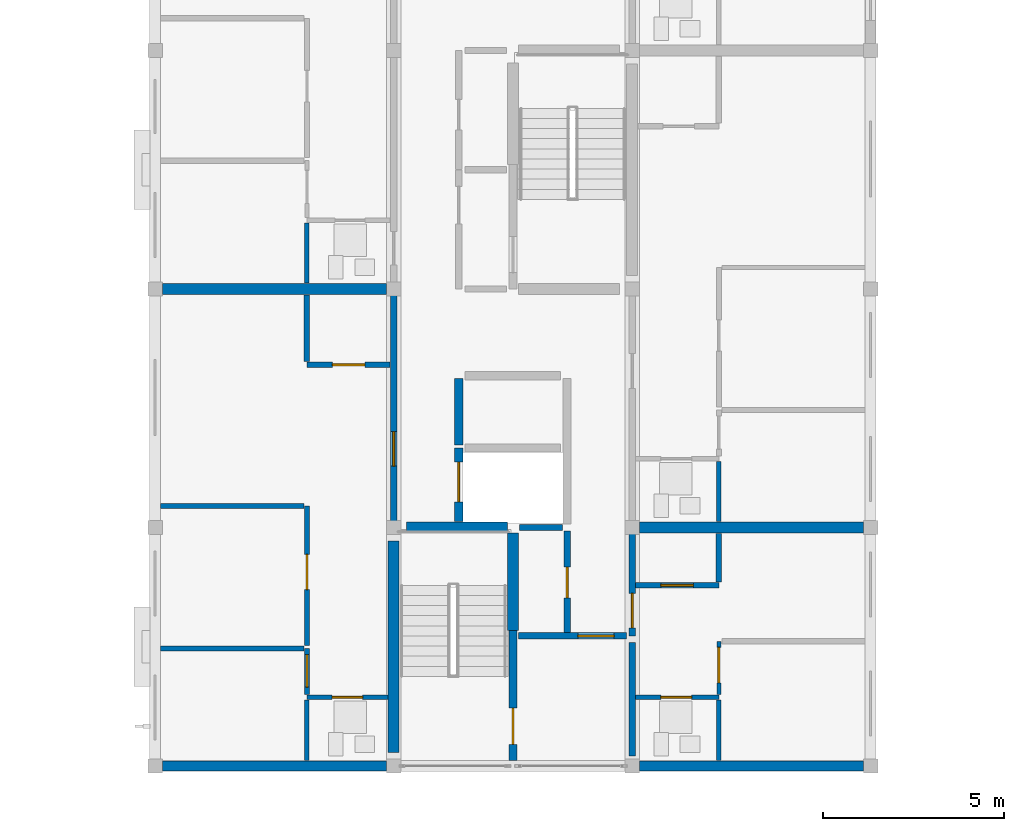
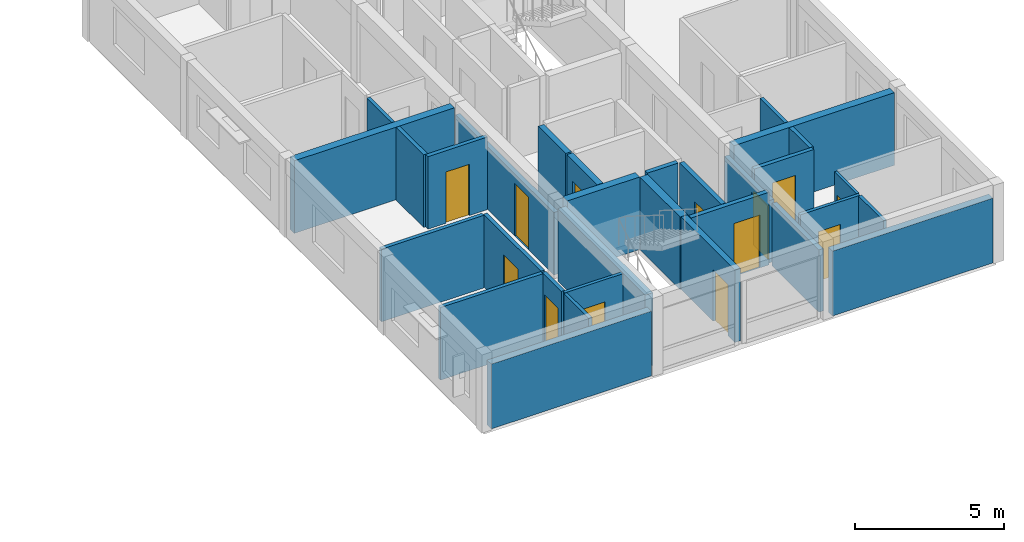
# One storey, part 28 of 49: 31 walls, 13 doors, 13 openings.
"""IFC4 building model written with IfcOpenShell, lengths in metres."""

from ifc_helpers import new_model, si_unit, direction, frame, frame_2d, origin, place, context, subcontext, project, spatial, rectangle, extrude, material, layer, layer_set, type_object, element, fill, save


model = new_model("IFC4")

# Units and contexts
model_context = context("Model", 3, precision=1e-05, world=origin(), true_north=direction((0.0, 1.0)))
body_context = subcontext(model_context, "Body", "Model", "MODEL_VIEW")
ifc_project = project(units=[si_unit("LENGTHUNIT", "METRE"), si_unit("AREAUNIT", "SQUARE_METRE"), si_unit("VOLUMEUNIT", "CUBIC_METRE"), si_unit("PLANEANGLEUNIT", "RADIAN"), si_unit("MASSUNIT", "GRAM", prefix="KILO")], contexts=[model_context])

# Site, building, storey
site_placement = place(None, origin())
site = spatial("IfcSite", under=ifc_project, at=site_placement, CompositionType="ELEMENT")
building_placement = place(site_placement, origin())
building = spatial("IfcBuilding", under=site, at=building_placement, Name="Kernevlak Ridge Housing Community", CompositionType="ELEMENT")
storey_placement = place(building_placement, frame((0.0, 0.0, 30.800048828125)))
storey = spatial("IfcBuildingStorey", under=building, at=storey_placement, Name="L09", CompositionType="ELEMENT", Elevation=30.800048828125)

# Walls
ifc_material_1 = material(Name="Concrete block masonry M10", Category="masonry")
ifc_layer_1 = layer(ifc_material_1, 0.280029296875, Name="Concrete block masonry M10")
ifc_layer_set_1 = layer_set([ifc_layer_1], Name="Concrete block masonry M10")
wall_type_1 = type_object("IfcWallType", Name="EW-03", PredefinedType="STANDARD", material=ifc_layer_set_1)
wall_1_placement = place(storey_placement, frame((126.199951171875, 15.60009765625, 0.0), z_axis=(0.0, 0.0, 1.0), x_axis=(1.0, 0.0, 0.0)))
element("IfcWall", 1, at=wall_1_placement, inside=storey, type_object=wall_type_1, Name="Exterior wall EW-03 L09 666", PredefinedType="STANDARD", context=body_context, shape_type="SweptSolid", body=[
    extrude(rectangle(XDim=6.199951171875, YDim=0.280029296875, at=frame_2d((3.10009765625, 0.0))), origin(), (0.0, 0.0, 1.0), 2.64990234375),
])
wall_2_placement = place(storey_placement, frame((139.39990234375, 15.60009765625, 0.0), z_axis=(0.0, 0.0, 1.0), x_axis=(1.0, 0.0, 0.0)))
element("IfcWall", 2, at=wall_2_placement, inside=storey, type_object=wall_type_1, Name="Exterior wall EW-03 L09 667", PredefinedType="STANDARD", context=body_context, shape_type="SweptSolid", body=[
    extrude(rectangle(XDim=6.2001953125, YDim=0.280029296875, at=frame_2d((3.10009765625, 0.0))), origin(), (0.0, 0.0, 1.0), 2.64990234375),
])

# Wall, opening, door
ifc_material_2 = material(Name="Concrete C35/45", Category="concrete")
ifc_layer_2 = layer(ifc_material_2, 0.22509765625, Name="Concrete C35/45")
ifc_layer_set_2 = layer_set([ifc_layer_2], Name="Concrete C35/45")
wall_type_2 = type_object("IfcWallType", Name="PW-01", PredefinedType="STANDARD", material=ifc_layer_set_2)
wall_3_placement = place(storey_placement, frame((135.89990234375, 15.75, 0.0), z_axis=(0.0, 0.0, 1.0), x_axis=(0.0, 1.0, 0.0)))
wall_3 = element("IfcWall", 3, at=wall_3_placement, inside=storey, type_object=wall_type_2, Name="Interior wall PW-01 WAL-INT-L09-2668", PredefinedType="STANDARD", context=body_context, shape_type="SweptSolid", body=[
    extrude(rectangle(XDim=3.60009765625, YDim=0.22509765625, at=frame_2d((1.800048828125, 0.0))), origin(), (0.0, 0.0, 1.0), 2.969970703125),
])
opening_1_placement = place(wall_3_placement, frame((0.449951171875, 0.0, 0.0)))
opening_1 = element("IfcOpeningElement", 4, at=opening_1_placement, cuts=wall_3, Name="Opening E354", PredefinedType="OPENING", context=body_context, shape_type="SweptSolid", body=[
    extrude(rectangle(XDim=1.0, YDim=2.10009765625, at=frame_2d((0.5, 1.050048828125))), frame((0.0, 0.12255859375, 0.0), z_axis=(0.0, -1.0, 0.0), x_axis=(1.0, 0.0, 0.0)), (0.0, 0.0, 1.0), 0.2451171875),
])
ifc_material_3 = material(Name="Fire-rated sheet steel leaf", Category="steel")
door_type_1 = type_object("IfcDoorType", Name="DT-05", OperationType="NOTDEFINED", PredefinedType="DOOR", material=ifc_material_3)
door_1_placement = place(opening_1_placement, origin())
door_1 = element("IfcDoor", 5, at=door_1_placement, inside=storey, type_object=door_type_1, Name="Block C Stair 1 fire door E354", OperationType="SINGLE_SWING_LEFT", OverallHeight=2.10009765625, OverallWidth=1.0, PredefinedType="DOOR", context=body_context, shape_type="SweptSolid", body=[
    extrude(rectangle(XDim=1.0, YDim=2.10009765625, at=frame_2d((0.5, 1.050048828125))), frame((0.0, 0.02490234375, 0.0), z_axis=(0.0, -1.0, 0.0), x_axis=(1.0, 0.0, 0.0)), (0.0, 0.0, 1.0), 0.050048828125),
])
fill(opening_1, door_1)

wall_4_placement = place(storey_placement, frame((134.39990234375, 22.360107421875, 0.0), z_axis=(0.0, 0.0, 1.0), x_axis=(0.0, 1.0, 0.0)))
wall_4 = element("IfcWall", 6, at=wall_4_placement, inside=storey, type_object=wall_type_2, Name="Interior wall PW-01 WAL-INT-L09-2672", PredefinedType="STANDARD", context=body_context, shape_type="SweptSolid", body=[
    extrude(rectangle(XDim=2.039794921875, YDim=0.22509765625, at=frame_2d((1.02001953125, 0.0))), origin(), (0.0, 0.0, 1.0), 2.969970703125),
])
opening_2_placement = place(wall_4_placement, frame((0.550048828125, 0.0, 0.0)))
opening_2 = element("IfcOpeningElement", 7, at=opening_2_placement, cuts=wall_4, Name="Opening LD73", PredefinedType="OPENING", context=body_context, shape_type="SweptSolid", body=[
    extrude(rectangle(XDim=1.10009765625, YDim=2.10009765625, at=frame_2d((0.550048828125, 1.050048828125))), frame((0.0, 0.12255859375, 0.0), z_axis=(0.0, -1.0, 0.0), x_axis=(1.0, 0.0, 0.0)), (0.0, 0.0, 1.0), 0.2451171875),
])
ifc_material_4 = material(Name="Stainless steel EN 1.4401", Category="steel")
door_type_2 = type_object("IfcDoorType", Name="DT-LD1", OperationType="DOUBLE_DOOR_SLIDING", PredefinedType="DOOR", material=ifc_material_4)
door_2_placement = place(opening_2_placement, origin())
door_2 = element("IfcDoor", 8, at=door_2_placement, inside=storey, type_object=door_type_2, Name="Lift LF-C1 landing door LD73", OperationType="DOUBLE_DOOR_SLIDING", OverallHeight=2.10009765625, OverallWidth=1.10009765625, PredefinedType="DOOR", context=body_context, shape_type="SweptSolid", body=[
    extrude(rectangle(XDim=1.10009765625, YDim=2.10009765625, at=frame_2d((0.550048828125, 1.050048828125))), frame((0.0, 0.02490234375, 0.0), z_axis=(0.0, -1.0, 0.0), x_axis=(1.0, 0.0, 0.0)), (0.0, 0.0, 1.0), 0.050048828125),
])
fill(opening_2, door_2)

# Wall
wall_5_placement = place(storey_placement, frame((134.39990234375, 24.47998046875, 0.0), z_axis=(0.0, 0.0, 1.0), x_axis=(0.0, 1.0, 0.0)))
element("IfcWall", 9, at=wall_5_placement, inside=storey, type_object=wall_type_2, Name="Interior wall PW-01 WAL-INT-L09-2673", PredefinedType="STANDARD", context=body_context, shape_type="SweptSolid", body=[
    extrude(rectangle(XDim=1.840087890625, YDim=0.22509765625, at=frame_2d((0.919921875, 0.0))), origin(), (0.0, 0.0, 1.0), 2.969970703125),
])

# Wall, opening, door
ifc_layer_3 = layer(ifc_material_1, 0.175048828125, Name="Concrete block masonry M10")
ifc_layer_set_3 = layer_set([ifc_layer_3], Name="Concrete block masonry M10")
wall_type_3 = type_object("IfcWallType", Name="PW-02", PredefinedType="PARTITIONING", material=ifc_layer_set_3)
wall_6_placement = place(storey_placement, frame((136.050048828125, 19.199951171875, 0.0), z_axis=(0.0, 0.0, 1.0), x_axis=(1.0, 0.0, 0.0)))
wall_6 = element("IfcWall", 10, at=wall_6_placement, inside=storey, type_object=wall_type_3, Name="Interior wall PW-02 WAL-INT-L09-2669", PredefinedType="PARTITIONING", context=body_context, shape_type="SweptSolid", body=[
    extrude(rectangle(XDim=3.0, YDim=0.175048828125, at=frame_2d((1.5, 0.0))), origin(), (0.0, 0.0, 1.0), 2.969970703125),
])
opening_3_placement = place(wall_6_placement, frame((1.64990234375, 0.0, 0.0)))
opening_3 = element("IfcOpeningElement", 11, at=opening_3_placement, cuts=wall_6, Name="Opening E355", PredefinedType="OPENING", context=body_context, shape_type="SweptSolid", body=[
    extrude(rectangle(XDim=1.0, YDim=2.159912109375, at=frame_2d((0.5, 1.080078125))), frame((0.0, 0.097412109375, 0.0), z_axis=(0.0, -1.0, 0.0), x_axis=(1.0, 0.0, 0.0)), (0.0, 0.0, 1.0), 0.195068359375),
])
door_type_3 = type_object("IfcDoorType", Name="DT-15", OperationType="NOTDEFINED", PredefinedType="DOOR", material=ifc_material_3)
door_3_placement = place(opening_3_placement, origin())
door_3 = element("IfcDoor", 12, at=door_3_placement, inside=storey, type_object=door_type_3, Name="Block C Firefighting lobby 1 door E355", OperationType="SINGLE_SWING_RIGHT", OverallHeight=2.159912109375, OverallWidth=1.0, PredefinedType="DOOR", context=body_context, shape_type="SweptSolid", body=[
    extrude(rectangle(XDim=1.0, YDim=2.159912109375, at=frame_2d((0.5, 1.080078125))), frame((0.0, 0.02490234375, 0.0), z_axis=(0.0, -1.0, 0.0), x_axis=(1.0, 0.0, 0.0)), (0.0, 0.0, 1.0), 0.050048828125),
])
fill(opening_3, door_3)

wall_7_placement = place(storey_placement, frame((137.39990234375, 19.300048828125, 0.0), z_axis=(0.0, 0.0, 1.0), x_axis=(0.0, 1.0, 0.0)))
wall_7 = element("IfcWall", 13, at=wall_7_placement, inside=storey, type_object=wall_type_3, Name="Interior wall PW-02 WAL-INT-L09-2670", PredefinedType="PARTITIONING", context=body_context, shape_type="SweptSolid", body=[
    extrude(rectangle(XDim=2.800048828125, YDim=0.175048828125, at=frame_2d((1.39990234375, 0.0))), origin(), (0.0, 0.0, 1.0), 2.969970703125),
])
opening_4_placement = place(wall_7_placement, frame((0.949951171875, 0.0, 0.0)))
opening_4 = element("IfcOpeningElement", 14, at=opening_4_placement, cuts=wall_7, Name="Opening E356", PredefinedType="OPENING", context=body_context, shape_type="SweptSolid", body=[
    extrude(rectangle(XDim=0.85009765625, YDim=2.0, at=frame_2d((0.425048828125, 1.0))), frame((0.0, 0.097412109375, 0.0), z_axis=(0.0, -1.0, 0.0), x_axis=(1.0, 0.0, 0.0)), (0.0, 0.0, 1.0), 0.195068359375),
])
door_type_4 = type_object("IfcDoorType", Name="DT-07", OperationType="NOTDEFINED", PredefinedType="DOOR", material=ifc_material_3)
door_4_placement = place(opening_4_placement, origin())
door_4 = element("IfcDoor", 15, at=door_4_placement, inside=storey, type_object=door_type_4, Name="Block C Riser shaft door E356", OperationType="SINGLE_SWING_LEFT", OverallHeight=2.0, OverallWidth=0.85009765625, PredefinedType="DOOR", context=body_context, shape_type="SweptSolid", body=[
    extrude(rectangle(XDim=0.85009765625, YDim=2.0, at=frame_2d((0.425048828125, 1.0))), frame((0.0, 0.02490234375, 0.0), z_axis=(0.0, -1.0, 0.0), x_axis=(1.0, 0.0, 0.0)), (0.0, 0.0, 1.0), 0.050048828125),
])
fill(opening_4, door_4)

# Wall
wall_8_placement = place(storey_placement, frame((136.080078125, 22.199951171875, 0.0), z_axis=(0.0, 0.0, 1.0), x_axis=(1.0, 0.0, 0.0)))
element("IfcWall", 16, at=wall_8_placement, inside=storey, type_object=wall_type_3, Name="Interior wall PW-02 WAL-INT-L09-2671", PredefinedType="PARTITIONING", context=body_context, shape_type="SweptSolid", body=[
    extrude(rectangle(XDim=1.18994140625, YDim=0.175048828125, at=frame_2d((0.594970703125, 0.0))), origin(), (0.0, 0.0, 1.0), 2.969970703125),
])

# Wall, opening, door
wall_9_placement = place(storey_placement, frame((132.60009765625, 22.199951171875, 0.0), z_axis=(0.0, 0.0, 1.0), x_axis=(0.0, 1.0, 0.0)))
wall_9 = element("IfcWall", 17, at=wall_9_placement, inside=storey, type_object=wall_type_3, Name="Interior wall PW-02 WAL-INT-L09-2687", PredefinedType="PARTITIONING", context=body_context, shape_type="SweptSolid", body=[
    extrude(rectangle(XDim=6.60009765625, YDim=0.175048828125, at=frame_2d((3.300048828125, 0.0))), origin(), (0.0, 0.0, 1.0), 2.550048828125),
])
opening_5_placement = place(wall_9_placement, frame((1.699951171875, 0.0, 0.0)))
opening_5 = element("IfcOpeningElement", 18, at=opening_5_placement, cuts=wall_9, Name="Opening E361", PredefinedType="OPENING", context=body_context, shape_type="SweptSolid", body=[
    extrude(rectangle(XDim=0.949951171875, YDim=2.159912109375, at=frame_2d((0.47509765625, 1.080078125))), frame((0.0, 0.097412109375, 0.0), z_axis=(0.0, -1.0, 0.0), x_axis=(1.0, 0.0, 0.0)), (0.0, 0.0, 1.0), 0.195068359375),
])
ifc_material_5 = material(Name="Hardwood timber solid-core fire leaf", Category="wood")
door_type_5 = type_object("IfcDoorType", Name="DT-02", OperationType="NOTDEFINED", PredefinedType="DOOR", material=ifc_material_5)
door_5_placement = place(opening_5_placement, origin())
door_5 = element("IfcDoor", 19, at=door_5_placement, inside=storey, type_object=door_type_5, Name="Flat C0911 entrance fire door E361", OperationType="SINGLE_SWING_RIGHT", OverallHeight=2.159912109375, OverallWidth=0.949951171875, PredefinedType="DOOR", context=body_context, shape_type="SweptSolid", body=[
    extrude(rectangle(XDim=0.949951171875, YDim=2.159912109375, at=frame_2d((0.47509765625, 1.080078125))), frame((0.0, 0.02490234375, 0.0), z_axis=(0.0, -1.0, 0.0), x_axis=(1.0, 0.0, 0.0)), (0.0, 0.0, 1.0), 0.050048828125),
])
fill(opening_5, door_5)

# Wall
wall_10_placement = place(storey_placement, frame((139.199951171875, 15.8798828125, 0.0), z_axis=(0.0, 0.0, 1.0), x_axis=(0.0, 1.0, 0.0)))
element("IfcWall", 20, at=wall_10_placement, inside=storey, type_object=wall_type_3, Name="Interior wall PW-02 WAL-INT-L09-2705", PredefinedType="PARTITIONING", context=body_context, shape_type="SweptSolid", body=[
    extrude(rectangle(XDim=3.14013671875, YDim=0.175048828125, at=frame_2d((1.570068359375, 0.0))), origin(), (0.0, 0.0, 1.0), 2.550048828125),
])

# Wall, opening, door
wall_11_placement = place(storey_placement, frame((139.199951171875, 19.199951171875, 0.0), z_axis=(0.0, 0.0, 1.0), x_axis=(0.0, 1.0, 0.0)))
wall_11 = element("IfcWall", 21, at=wall_11_placement, inside=storey, type_object=wall_type_3, Name="Interior wall PW-02 WAL-INT-L09-2706", PredefinedType="PARTITIONING", context=body_context, shape_type="SweptSolid", body=[
    extrude(rectangle(XDim=3.0, YDim=0.175048828125, at=frame_2d((1.5, 0.0))), origin(), (0.0, 0.0, 1.0), 2.550048828125),
])
opening_6_placement = place(wall_11_placement, frame((0.219970703125, 0.0, 0.0)))
opening_6 = element("IfcOpeningElement", 22, at=opening_6_placement, cuts=wall_11, Name="Opening E371", PredefinedType="OPENING", context=body_context, shape_type="SweptSolid", body=[
    extrude(rectangle(XDim=0.9599609375, YDim=2.179931640625, at=frame_2d((0.47998046875, 1.08984375))), frame((0.0, 0.097412109375, 0.0), z_axis=(0.0, -1.0, 0.0), x_axis=(1.0, 0.0, 0.0)), (0.0, 0.0, 1.0), 0.195068359375),
])
door_type_6 = type_object("IfcDoorType", Name="DT-29", OperationType="NOTDEFINED", PredefinedType="DOOR", material=ifc_material_5)
door_6_placement = place(opening_6_placement, origin())
door_6 = element("IfcDoor", 23, at=door_6_placement, inside=storey, type_object=door_type_6, Name="Flat C0921 entrance fire door E371", OperationType="SINGLE_SWING_RIGHT", OverallHeight=2.179931640625, OverallWidth=0.9599609375, PredefinedType="DOOR", context=body_context, shape_type="SweptSolid", body=[
    extrude(rectangle(XDim=0.9599609375, YDim=2.179931640625, at=frame_2d((0.47998046875, 1.08984375))), frame((0.0, 0.02490234375, 0.0), z_axis=(0.0, -1.0, 0.0), x_axis=(1.0, 0.0, 0.0)), (0.0, 0.0, 1.0), 0.050048828125),
])
fill(opening_6, door_6)

ifc_layer_4 = layer(ifc_material_1, 0.14501953125, Name="Concrete block masonry M10")
ifc_layer_set_4 = layer_set([ifc_layer_4], Name="Concrete block masonry M10")
wall_type_4 = type_object("IfcWallType", Name="PW-03", PredefinedType="PARTITIONING", material=ifc_layer_set_4)
wall_12_placement = place(storey_placement, frame((130.199951171875, 17.572509765625, 0.0), z_axis=(0.0, 0.0, 1.0), x_axis=(0.0, 1.0, 0.0)))
wall_12 = element("IfcWall", 24, at=wall_12_placement, inside=storey, type_object=wall_type_4, Name="Interior wall PW-03 WAL-INT-L09-2692", PredefinedType="PARTITIONING", context=body_context, shape_type="SweptSolid", body=[
    extrude(rectangle(XDim=1.277587890625, YDim=0.14501953125, at=frame_2d((0.638671875, 0.0))), origin(), (0.0, 0.0, 1.0), 2.969970703125),
])
opening_7_placement = place(wall_12_placement, frame((0.20751953125, 0.0, 0.0)))
opening_7 = element("IfcOpeningElement", 25, at=opening_7_placement, cuts=wall_12, Name="Opening E364", PredefinedType="OPENING", context=body_context, shape_type="SweptSolid", body=[
    extrude(rectangle(XDim=0.89990234375, YDim=2.159912109375, at=frame_2d((0.449951171875, 1.080078125))), frame((0.0, 0.08251953125, 0.0), z_axis=(0.0, -1.0, 0.0), x_axis=(1.0, 0.0, 0.0)), (0.0, 0.0, 1.0), 0.1650390625),
])
ifc_material_6 = material(Name="Hardwood timber leaf", Category="wood")
door_type_7 = type_object("IfcDoorType", Name="DT-22", OperationType="NOTDEFINED", PredefinedType="DOOR", material=ifc_material_6)
door_7_placement = place(opening_7_placement, origin())
door_7 = element("IfcDoor", 26, at=door_7_placement, inside=storey, type_object=door_type_7, Name="Flat C0911 bedroom door E364", OperationType="SINGLE_SWING_LEFT", OverallHeight=2.159912109375, OverallWidth=0.89990234375, PredefinedType="DOOR", context=body_context, shape_type="SweptSolid", body=[
    extrude(rectangle(XDim=0.89990234375, YDim=2.159912109375, at=frame_2d((0.449951171875, 1.080078125))), frame((0.0, 0.02490234375, 0.0), z_axis=(0.0, -1.0, 0.0), x_axis=(1.0, 0.0, 0.0)), (0.0, 0.0, 1.0), 0.050048828125),
])
fill(opening_7, door_7)

# Wall
wall_13_placement = place(storey_placement, frame((130.117431640625, 18.85009765625, 0.0), z_axis=(0.0, 0.0, 1.0), x_axis=(-1.0, 0.0, 0.0)))
element("IfcWall", 27, at=wall_13_placement, inside=storey, type_object=wall_type_4, Name="Interior wall PW-03 WAL-INT-L09-2693", PredefinedType="PARTITIONING", context=body_context, shape_type="SweptSolid", body=[
    extrude(rectangle(XDim=3.967529296875, YDim=0.14501953125, at=frame_2d((1.98388671875, 0.0))), origin(), (0.0, 0.0, 1.0), 2.969970703125),
])

# Wall, opening, door
wall_14_placement = place(storey_placement, frame((130.199951171875, 18.9326171875, 0.0), z_axis=(0.0, 0.0, 1.0), x_axis=(0.0, 1.0, 0.0)))
wall_14 = element("IfcWall", 28, at=wall_14_placement, inside=storey, type_object=wall_type_4, Name="Interior wall PW-03 WAL-INT-L09-2694", PredefinedType="PARTITIONING", context=body_context, shape_type="SweptSolid", body=[
    extrude(rectangle(XDim=3.859375, YDim=0.14501953125, at=frame_2d((1.9296875, 0.0))), origin(), (0.0, 0.0, 1.0), 2.969970703125),
])
opening_8_placement = place(wall_14_placement, frame((1.5458984375, 0.0, 0.0)))
opening_8 = element("IfcOpeningElement", 29, at=opening_8_placement, cuts=wall_14, Name="Opening E365", PredefinedType="OPENING", context=body_context, shape_type="SweptSolid", body=[
    extrude(rectangle(XDim=0.97998046875, YDim=2.1201171875, at=frame_2d((0.489990234375, 1.06005859375))), frame((0.0, 0.08251953125, 0.0), z_axis=(0.0, -1.0, 0.0), x_axis=(1.0, 0.0, 0.0)), (0.0, 0.0, 1.0), 0.1650390625),
])
door_type_8 = type_object("IfcDoorType", Name="DT-24", OperationType="NOTDEFINED", PredefinedType="DOOR", material=ifc_material_6)
door_8_placement = place(opening_8_placement, origin())
door_8 = element("IfcDoor", 30, at=door_8_placement, inside=storey, type_object=door_type_8, Name="Flat C0911 bedroom door E365", OperationType="SINGLE_SWING_RIGHT", OverallHeight=2.1201171875, OverallWidth=0.97998046875, PredefinedType="DOOR", context=body_context, shape_type="SweptSolid", body=[
    extrude(rectangle(XDim=0.97998046875, YDim=2.1201171875, at=frame_2d((0.489990234375, 1.06005859375))), frame((0.0, 0.02490234375, 0.0), z_axis=(0.0, -1.0, 0.0), x_axis=(1.0, 0.0, 0.0)), (0.0, 0.0, 1.0), 0.050048828125),
])
fill(opening_8, door_8)

# Wall
wall_15_placement = place(storey_placement, frame((130.117431640625, 22.7919921875, 0.0), z_axis=(0.0, 0.0, 1.0), x_axis=(-1.0, 0.0, 0.0)))
element("IfcWall", 31, at=wall_15_placement, inside=storey, type_object=wall_type_4, Name="Interior wall PW-03 WAL-INT-L09-2695", PredefinedType="PARTITIONING", context=body_context, shape_type="SweptSolid", body=[
    extrude(rectangle(XDim=3.967529296875, YDim=0.14501953125, at=frame_2d((1.98388671875, 0.0))), origin(), (0.0, 0.0, 1.0), 2.969970703125),
])

# Wall, opening, door
ifc_material_7 = material(Name="Gypsum plasterboard EN 520", Category="gypsum")
ifc_layer_5 = layer(ifc_material_7, 0.125, Name="Gypsum plasterboard EN 520")
ifc_layer_set_5 = layer_set([ifc_layer_5], Name="Gypsum plasterboard EN 520")
wall_type_5 = type_object("IfcWallType", Name="PW-04", PredefinedType="PARTITIONING", material=ifc_layer_set_5)
wall_16_placement = place(storey_placement, frame((132.43994140625, 17.5, 0.0), z_axis=(0.0, 0.0, 1.0), x_axis=(-1.0, 0.0, 0.0)))
wall_16 = element("IfcWall", 32, at=wall_16_placement, inside=storey, type_object=wall_type_5, Name="Interior wall PW-04 WAL-INT-L09-2688", PredefinedType="PARTITIONING", context=body_context, shape_type="SweptSolid", body=[
    extrude(rectangle(XDim=2.239990234375, YDim=0.125, at=frame_2d((1.1201171875, 0.0))), origin(), (0.0, 0.0, 1.0), 2.969970703125),
])
opening_9_placement = place(wall_16_placement, frame((0.699951171875, 0.0, 0.0)))
opening_9 = element("IfcOpeningElement", 33, at=opening_9_placement, cuts=wall_16, Name="Opening E362", PredefinedType="OPENING", context=body_context, shape_type="SweptSolid", body=[
    extrude(rectangle(XDim=0.840087890625, YDim=2.06005859375, at=frame_2d((0.419921875, 1.030029296875))), frame((0.0, 0.072509765625, 0.0), z_axis=(0.0, -1.0, 0.0), x_axis=(1.0, 0.0, 0.0)), (0.0, 0.0, 1.0), 0.14501953125),
])
ifc_material_8 = material(Name="Hardwood timber moisture-resistant leaf", Category="wood")
door_type_9 = type_object("IfcDoorType", Name="DT-27", OperationType="NOTDEFINED", PredefinedType="DOOR", material=ifc_material_8)
door_9_placement = place(opening_9_placement, origin())
door_9 = element("IfcDoor", 34, at=door_9_placement, inside=storey, type_object=door_type_9, Name="Flat C0911 bathroom door E362", OperationType="SINGLE_SWING_LEFT", OverallHeight=2.06005859375, OverallWidth=0.840087890625, PredefinedType="DOOR", context=body_context, shape_type="SweptSolid", body=[
    extrude(rectangle(XDim=0.840087890625, YDim=2.06005859375, at=frame_2d((0.419921875, 1.030029296875))), frame((0.0, 0.02490234375, 0.0), z_axis=(0.0, -1.0, 0.0), x_axis=(1.0, 0.0, 0.0)), (0.0, 0.0, 1.0), 0.050048828125),
])
fill(opening_9, door_9)

# Walls
wall_17_placement = place(storey_placement, frame((130.199951171875, 15.75, 0.0), z_axis=(0.0, 0.0, 1.0), x_axis=(0.0, 1.0, 0.0)))
element("IfcWall", 35, at=wall_17_placement, inside=storey, type_object=wall_type_5, Name="Interior wall PW-04 WAL-INT-L09-2689", PredefinedType="PARTITIONING", context=body_context, shape_type="SweptSolid", body=[
    extrude(rectangle(XDim=1.669921875, YDim=0.125, at=frame_2d((0.8349609375, 0.0))), origin(), (0.0, 0.0, 1.0), 2.969970703125),
])
wall_18_placement = place(storey_placement, frame((130.199951171875, 28.9599609375, 0.0), z_axis=(0.0, 0.0, 1.0), x_axis=(0.0, 1.0, 0.0)))
element("IfcWall", 36, at=wall_18_placement, inside=storey, type_object=wall_type_5, Name="Interior wall PW-04 WAL-INT-L09-2698", PredefinedType="PARTITIONING", context=body_context, shape_type="SweptSolid", body=[
    extrude(rectangle(XDim=1.66015625, YDim=0.125, at=frame_2d((0.830078125, 0.0))), origin(), (0.0, 0.0, 1.0), 2.969970703125),
])

# Wall, opening, door
wall_19_placement = place(storey_placement, frame((139.297607421875, 17.5, 0.0), z_axis=(0.0, 0.0, 1.0), x_axis=(1.0, 0.0, 0.0)))
wall_19 = element("IfcWall", 37, at=wall_19_placement, inside=storey, type_object=wall_type_5, Name="Interior wall PW-04 WAL-INT-L09-2707", PredefinedType="PARTITIONING", context=body_context, shape_type="SweptSolid", body=[
    extrude(rectangle(XDim=2.302490234375, YDim=0.125, at=frame_2d((1.1513671875, 0.0))), origin(), (0.0, 0.0, 1.0), 2.969970703125),
])
opening_10_placement = place(wall_19_placement, frame((0.699951171875, 0.0, 0.0)))
opening_10 = element("IfcOpeningElement", 38, at=opening_10_placement, cuts=wall_19, Name="Opening E372", PredefinedType="OPENING", context=body_context, shape_type="SweptSolid", body=[
    extrude(rectangle(XDim=0.85009765625, YDim=2.0400390625, at=frame_2d((0.425048828125, 1.02001953125))), frame((0.0, 0.072509765625, 0.0), z_axis=(0.0, -1.0, 0.0), x_axis=(1.0, 0.0, 0.0)), (0.0, 0.0, 1.0), 0.14501953125),
])
door_type_10 = type_object("IfcDoorType", Name="DT-04", OperationType="NOTDEFINED", PredefinedType="DOOR", material=ifc_material_8)
door_10_placement = place(opening_10_placement, origin())
door_10 = element("IfcDoor", 39, at=door_10_placement, inside=storey, type_object=door_type_10, Name="Flat C0921 bathroom door E372", OperationType="SINGLE_SWING_LEFT", OverallHeight=2.0400390625, OverallWidth=0.85009765625, PredefinedType="DOOR", context=body_context, shape_type="SweptSolid", body=[
    extrude(rectangle(XDim=0.85009765625, YDim=2.0400390625, at=frame_2d((0.425048828125, 1.02001953125))), frame((0.0, 0.02490234375, 0.0), z_axis=(0.0, -1.0, 0.0), x_axis=(1.0, 0.0, 0.0)), (0.0, 0.0, 1.0), 0.050048828125),
])
fill(opening_10, door_10)

# Walls
wall_20_placement = place(storey_placement, frame((141.60009765625, 15.75, 0.0), z_axis=(0.0, 0.0, 1.0), x_axis=(0.0, 1.0, 0.0)))
element("IfcWall", 40, at=wall_20_placement, inside=storey, type_object=wall_type_5, Name="Interior wall PW-04 WAL-INT-L09-2708", PredefinedType="PARTITIONING", context=body_context, shape_type="SweptSolid", body=[
    extrude(rectangle(XDim=1.669921875, YDim=0.125, at=frame_2d((0.8349609375, 0.0))), origin(), (0.0, 0.0, 1.0), 2.969970703125),
])
wall_21_placement = place(storey_placement, frame((141.60009765625, 22.360107421875, 0.0), z_axis=(0.0, 0.0, 1.0), x_axis=(0.0, 1.0, 0.0)))
element("IfcWall", 41, at=wall_21_placement, inside=storey, type_object=wall_type_5, Name="Interior wall PW-04 WAL-INT-L09-2715", PredefinedType="PARTITIONING", context=body_context, shape_type="SweptSolid", body=[
    extrude(rectangle(XDim=1.659912109375, YDim=0.125, at=frame_2d((0.830078125, 0.0))), origin(), (0.0, 0.0, 1.0), 2.969970703125),
])

# Wall, opening, door
ifc_layer_6 = layer(ifc_material_7, 0.155029296875, Name="Gypsum plasterboard EN 520")
ifc_layer_set_6 = layer_set([ifc_layer_6], Name="Gypsum plasterboard EN 520")
wall_type_6 = type_object("IfcWallType", Name="PW-05", PredefinedType="PARTITIONING", material=ifc_layer_set_6)
wall_22_placement = place(storey_placement, frame((132.50244140625, 26.699951171875, 0.0), z_axis=(0.0, 0.0, 1.0), x_axis=(-1.0, 0.0, 0.0)))
wall_22 = element("IfcWall", 42, at=wall_22_placement, inside=storey, type_object=wall_type_6, Name="Interior wall PW-05 WAL-INT-L09-2690", PredefinedType="PARTITIONING", context=body_context, shape_type="SweptSolid", body=[
    extrude(rectangle(XDim=2.302490234375, YDim=0.155029296875, at=frame_2d((1.1513671875, 0.0))), origin(), (0.0, 0.0, 1.0), 2.969970703125),
])
opening_11_placement = place(wall_22_placement, frame((0.699951171875, 0.0, 0.0)))
opening_11 = element("IfcOpeningElement", 43, at=opening_11_placement, cuts=wall_22, Name="Opening E363", PredefinedType="OPENING", context=body_context, shape_type="SweptSolid", body=[
    extrude(rectangle(XDim=0.89990234375, YDim=2.10009765625, at=frame_2d((0.449951171875, 1.050048828125))), frame((0.0, 0.08740234375, 0.0), z_axis=(0.0, -1.0, 0.0), x_axis=(1.0, 0.0, 0.0)), (0.0, 0.0, 1.0), 0.175048828125),
])
door_type_11 = type_object("IfcDoorType", Name="DT-21", OperationType="NOTDEFINED", PredefinedType="DOOR", material=ifc_material_6)
door_11_placement = place(opening_11_placement, origin())
door_11 = element("IfcDoor", 44, at=door_11_placement, inside=storey, type_object=door_type_11, Name="Flat C0911 kitchen door E363", OperationType="SINGLE_SWING_RIGHT", OverallHeight=2.10009765625, OverallWidth=0.89990234375, PredefinedType="DOOR", context=body_context, shape_type="SweptSolid", body=[
    extrude(rectangle(XDim=0.89990234375, YDim=2.10009765625, at=frame_2d((0.449951171875, 1.050048828125))), frame((0.0, 0.02490234375, 0.0), z_axis=(0.0, -1.0, 0.0), x_axis=(1.0, 0.0, 0.0)), (0.0, 0.0, 1.0), 0.050048828125),
])
fill(opening_11, door_11)

# Wall
wall_23_placement = place(storey_placement, frame((130.199951171875, 26.78759765625, 0.0), z_axis=(0.0, 0.0, 1.0), x_axis=(0.0, 1.0, 0.0)))
element("IfcWall", 45, at=wall_23_placement, inside=storey, type_object=wall_type_6, Name="Interior wall PW-05 WAL-INT-L09-2691", PredefinedType="PARTITIONING", context=body_context, shape_type="SweptSolid", body=[
    extrude(rectangle(XDim=1.852294921875, YDim=0.155029296875, at=frame_2d((0.92626953125, 0.0))), origin(), (0.0, 0.0, 1.0), 2.969970703125),
])

# Wall, opening, door
wall_24_placement = place(storey_placement, frame((139.297607421875, 20.60009765625, 0.0), z_axis=(0.0, 0.0, 1.0), x_axis=(1.0, 0.0, 0.0)))
wall_24 = element("IfcWall", 46, at=wall_24_placement, inside=storey, type_object=wall_type_6, Name="Interior wall PW-05 WAL-INT-L09-2709", PredefinedType="PARTITIONING", context=body_context, shape_type="SweptSolid", body=[
    extrude(rectangle(XDim=2.302490234375, YDim=0.155029296875, at=frame_2d((1.1513671875, 0.0))), origin(), (0.0, 0.0, 1.0), 2.969970703125),
])
opening_12_placement = place(wall_24_placement, frame((0.699951171875, 0.0, 0.0)))
opening_12 = element("IfcOpeningElement", 47, at=opening_12_placement, cuts=wall_24, Name="Opening E373", PredefinedType="OPENING", context=body_context, shape_type="SweptSolid", body=[
    extrude(rectangle(XDim=0.89990234375, YDim=2.159912109375, at=frame_2d((0.449951171875, 1.080078125))), frame((0.0, 0.08740234375, 0.0), z_axis=(0.0, -1.0, 0.0), x_axis=(1.0, 0.0, 0.0)), (0.0, 0.0, 1.0), 0.175048828125),
])
door_12_placement = place(opening_12_placement, origin())
door_12 = element("IfcDoor", 48, at=door_12_placement, inside=storey, type_object=door_type_7, Name="Flat C0921 kitchen door E373", OperationType="SINGLE_SWING_RIGHT", OverallHeight=2.159912109375, OverallWidth=0.89990234375, PredefinedType="DOOR", context=body_context, shape_type="SweptSolid", body=[
    extrude(rectangle(XDim=0.89990234375, YDim=2.159912109375, at=frame_2d((0.449951171875, 1.080078125))), frame((0.0, 0.02490234375, 0.0), z_axis=(0.0, -1.0, 0.0), x_axis=(1.0, 0.0, 0.0)), (0.0, 0.0, 1.0), 0.050048828125),
])
fill(opening_12, door_12)

# Wall
wall_25_placement = place(storey_placement, frame((141.60009765625, 20.6875, 0.0), z_axis=(0.0, 0.0, 1.0), x_axis=(0.0, 1.0, 0.0)))
element("IfcWall", 49, at=wall_25_placement, inside=storey, type_object=wall_type_6, Name="Interior wall PW-05 WAL-INT-L09-2710", PredefinedType="PARTITIONING", context=body_context, shape_type="SweptSolid", body=[
    extrude(rectangle(XDim=1.3525390625, YDim=0.155029296875, at=frame_2d((0.67626953125, 0.0))), origin(), (0.0, 0.0, 1.0), 2.969970703125),
])

# Wall, opening, door
ifc_layer_7 = layer(ifc_material_7, 0.10498046875, Name="Gypsum plasterboard EN 520")
ifc_layer_set_7 = layer_set([ifc_layer_7], Name="Gypsum plasterboard EN 520")
wall_type_7 = type_object("IfcWallType", Name="PW-06", PredefinedType="PARTITIONING", material=ifc_layer_set_7)
wall_26_placement = place(storey_placement, frame((141.60009765625, 17.572509765625, 0.0), z_axis=(0.0, 0.0, 1.0), x_axis=(0.0, 1.0, 0.0)))
wall_26 = element("IfcWall", 50, at=wall_26_placement, inside=storey, type_object=wall_type_7, Name="Interior wall PW-06 WAL-INT-L09-2711", PredefinedType="PARTITIONING", context=body_context, shape_type="SweptSolid", body=[
    extrude(rectangle(XDim=1.4775390625, YDim=0.10498046875, at=frame_2d((0.73876953125, 0.0))), origin(), (0.0, 0.0, 1.0), 2.969970703125),
])
opening_13_placement = place(wall_26_placement, frame((0.327392578125, 0.0, 0.0)))
opening_13 = element("IfcOpeningElement", 51, at=opening_13_placement, cuts=wall_26, Name="Opening E374", PredefinedType="OPENING", context=body_context, shape_type="SweptSolid", body=[
    extrude(rectangle(XDim=0.97998046875, YDim=2.1201171875, at=frame_2d((0.489990234375, 1.06005859375))), frame((0.0, 0.0625, 0.0), z_axis=(0.0, -1.0, 0.0), x_axis=(1.0, 0.0, 0.0)), (0.0, 0.0, 1.0), 0.125),
])
door_13_placement = place(opening_13_placement, origin())
door_13 = element("IfcDoor", 52, at=door_13_placement, inside=storey, type_object=door_type_8, Name="Flat C0921 bedroom door E374", OperationType="SINGLE_SWING_LEFT", OverallHeight=2.1201171875, OverallWidth=0.97998046875, PredefinedType="DOOR", context=body_context, shape_type="SweptSolid", body=[
    extrude(rectangle(XDim=0.97998046875, YDim=2.1201171875, at=frame_2d((0.489990234375, 1.06005859375))), frame((0.0, 0.02490234375, 0.0), z_axis=(0.0, -1.0, 0.0), x_axis=(1.0, 0.0, 0.0)), (0.0, 0.0, 1.0), 0.050048828125),
])
fill(opening_13, door_13)

# Walls
ifc_material_9 = material(Name="Concrete C40/50", Category="concrete")
ifc_layer_8 = layer(ifc_material_9, 0.300048828125, Name="Concrete C40/50")
ifc_layer_set_8 = layer_set([ifc_layer_8], Name="Concrete C40/50")
wall_type_8 = type_object("IfcWallType", Name="SW-02", PredefinedType="SHEAR", material=ifc_layer_set_8)
wall_27_placement = place(storey_placement, frame((132.60009765625, 15.97998046875, 0.0), z_axis=(0.0, 0.0, 1.0), x_axis=(0.0, 1.0, 0.0)))
element("IfcWall", 53, at=wall_27_placement, inside=storey, type_object=wall_type_8, Name="Shear wall SW-02 Block C L09 461", PredefinedType="SHEAR", context=body_context, shape_type="SweptSolid", body=[
    extrude(rectangle(XDim=5.840087890625, YDim=0.300048828125, at=frame_2d((2.919921875, 0.0))), origin(), (0.0, 0.0, 1.0), 2.969970703125),
])
wall_28_placement = place(storey_placement, frame((135.89990234375, 19.35009765625, 0.0), z_axis=(0.0, 0.0, 1.0), x_axis=(0.0, 1.0, 0.0)))
element("IfcWall", 54, at=wall_28_placement, inside=storey, type_object=wall_type_8, Name="Shear wall SW-02 Block C L09 462", PredefinedType="SHEAR", context=body_context, shape_type="SweptSolid", body=[
    extrude(rectangle(XDim=2.699951171875, YDim=0.300048828125, at=frame_2d((1.35009765625, 0.0))), origin(), (0.0, 0.0, 1.0), 2.969970703125),
])
wall_29_placement = place(storey_placement, frame((132.949951171875, 22.199951171875, 0.0), z_axis=(0.0, 0.0, 1.0), x_axis=(1.0, 0.0, 0.0)))
element("IfcWall", 55, at=wall_29_placement, inside=storey, type_object=wall_type_8, Name="Shear wall SW-02 Block C L09 463", PredefinedType="SHEAR", context=body_context, shape_type="SweptSolid", body=[
    extrude(rectangle(XDim=2.800048828125, YDim=0.300048828125, at=frame_2d((1.39990234375, 0.0))), origin(), (0.0, 0.0, 1.0), 2.969970703125),
])
wall_30_placement = place(storey_placement, frame((126.199951171875, 28.800048828125, 0.0), z_axis=(0.0, 0.0, 1.0), x_axis=(1.0, 0.0, 0.0)))
element("IfcWall", 56, at=wall_30_placement, inside=storey, type_object=wall_type_8, Name="Shear wall SW-02 Block C L09 468", PredefinedType="SHEAR", context=body_context, shape_type="SweptSolid", body=[
    extrude(rectangle(XDim=6.199951171875, YDim=0.300048828125, at=frame_2d((3.10009765625, 0.0))), origin(), (0.0, 0.0, 1.0), 2.969970703125),
])
wall_31_placement = place(storey_placement, frame((139.39990234375, 22.199951171875, 0.0), z_axis=(0.0, 0.0, 1.0), x_axis=(1.0, 0.0, 0.0)))
element("IfcWall", 57, at=wall_31_placement, inside=storey, type_object=wall_type_8, Name="Shear wall SW-02 Block C L09 469", PredefinedType="SHEAR", context=body_context, shape_type="SweptSolid", body=[
    extrude(rectangle(XDim=6.2001953125, YDim=0.300048828125, at=frame_2d((3.10009765625, 0.0))), origin(), (0.0, 0.0, 1.0), 2.969970703125),
])

save(model, "model.ifc")
